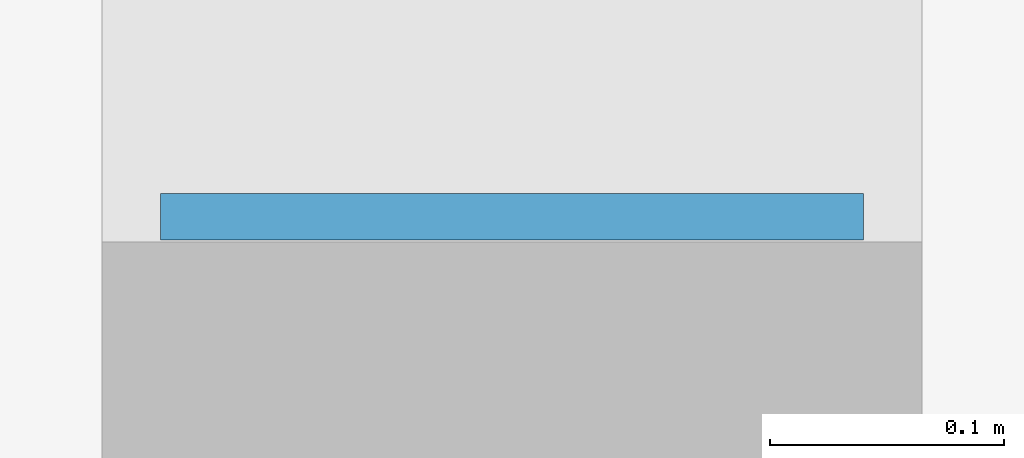
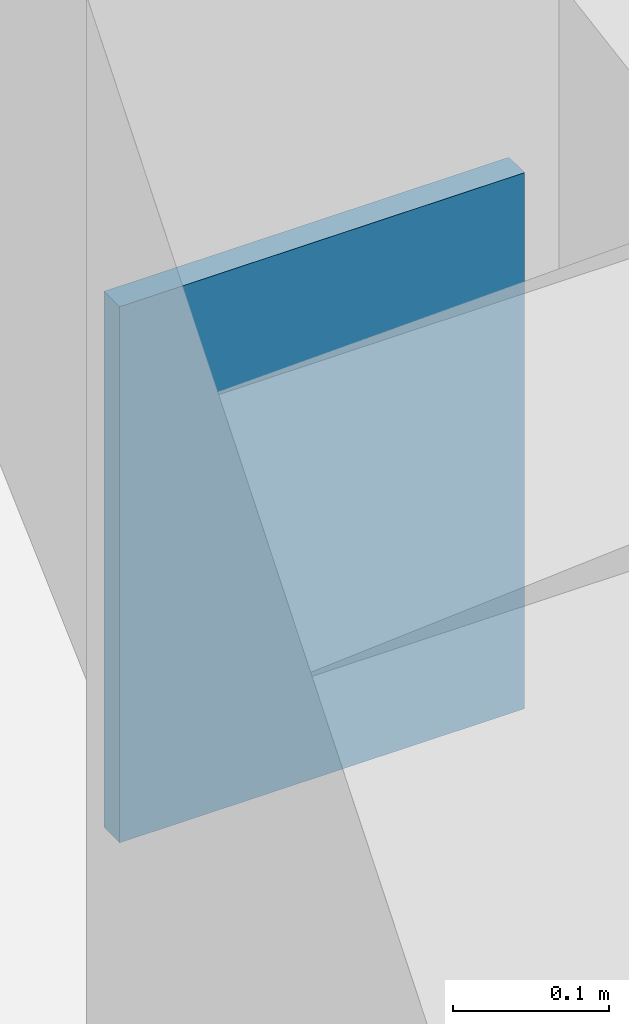
# One storey, part 84 of 135: 1 plate.
"""IFC4 building model written with IfcOpenShell, lengths in metres."""

from ifc_helpers import new_model, si_unit, direction, frame, origin, origin_2d, place, context, subcontext, project, spatial, rectangle, extrude, material, layer, layer_set, type_object, element, save


model = new_model("IFC4")

# Units and contexts
model_context = context("Model", 3, precision=1e-05, world=origin(), true_north=direction((0.0, 1.0)))
body_context = subcontext(model_context, "Body", "Model", "MODEL_VIEW")
ifc_project = project(units=[si_unit("LENGTHUNIT", "METRE"), si_unit("AREAUNIT", "SQUARE_METRE"), si_unit("VOLUMEUNIT", "CUBIC_METRE"), si_unit("PLANEANGLEUNIT", "RADIAN"), si_unit("MASSUNIT", "GRAM", prefix="KILO")], contexts=[model_context])

# Site, building, storey
site_placement = place(None, origin())
site = spatial("IfcSite", under=ifc_project, at=site_placement, CompositionType="ELEMENT")
building_placement = place(site_placement, origin())
building = spatial("IfcBuilding", under=site, at=building_placement, Name="Kiranvali Square Residences", CompositionType="ELEMENT")
storey_placement = place(building_placement, origin())
storey = spatial("IfcBuildingStorey", under=building, at=storey_placement, Name="L00", CompositionType="ELEMENT", Elevation=0.0)

# Plate
ifc_material = material(Name="Structural steel E350", Category="steel")
ifc_layer = layer(ifc_material, 0.02001953125)
ifc_layer_set = layer_set([ifc_layer], Name="Structural steel E350")
plate_type = type_object("IfcPlateType", Name="PLT-ENDCAP-20", PredefinedType="SHEET", material=ifc_layer_set)
plate_placement = place(storey_placement, frame((98.449951171875, 64.285888671875, 2.93994140625), z_axis=(0.0, 0.0, 1.0), x_axis=(1.0, 0.0, 0.0)))
element("IfcPlate", 1, at=plate_placement, inside=storey, type_object=plate_type, Name="Colonnade tie-rod end plate ARC-GDN-E-5A", PredefinedType="SHEET", context=body_context, shape_type="SweptSolid", body=[
    extrude(rectangle(XDim=0.300048828125, YDim=0.02001953125, at=origin_2d()), origin(), (0.0, 0.0, 1.0), 0.419921875),
])

save(model, "model.ifc")
